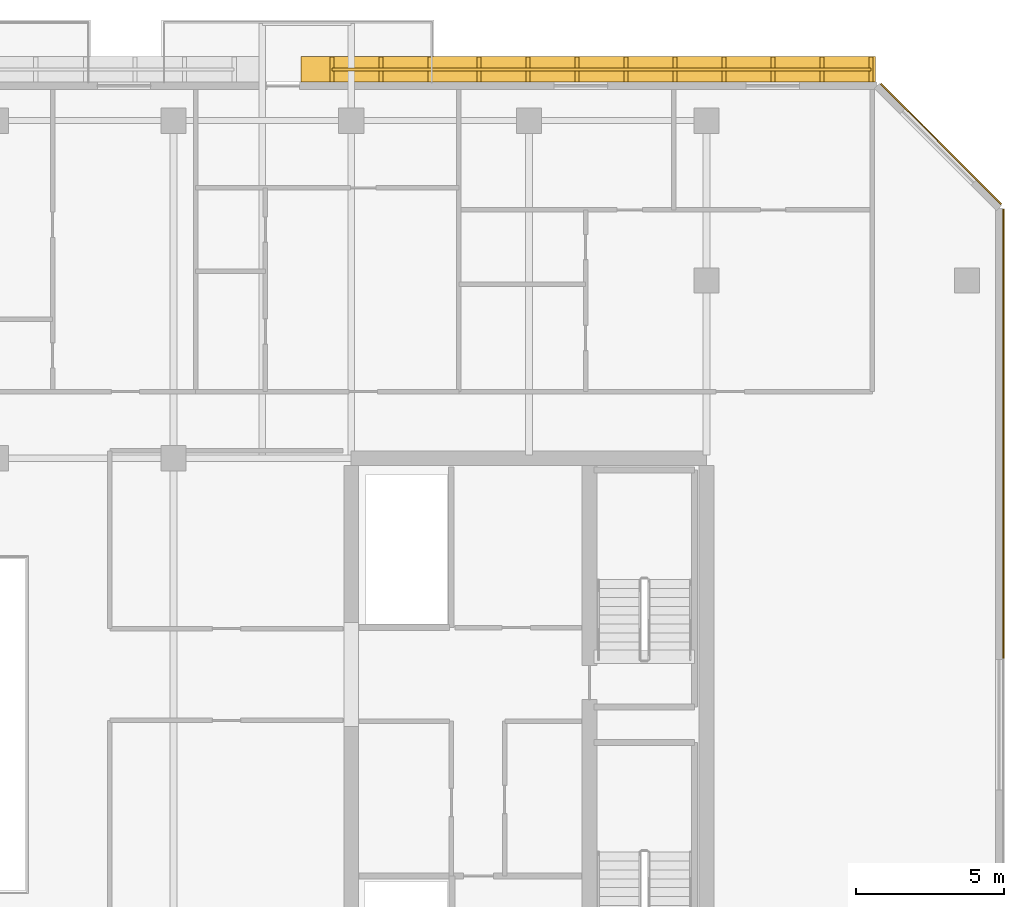
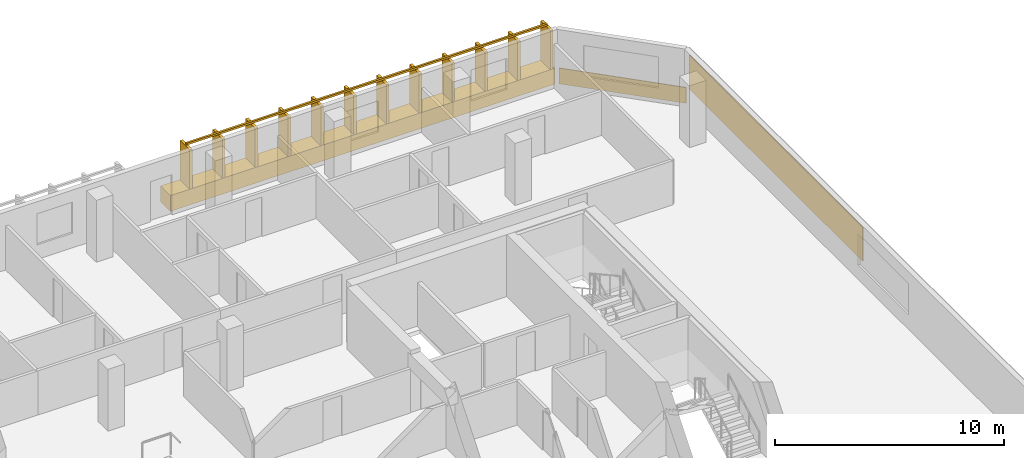
# One storey, part 19 of 19: 3 coverings, 1 railing.
"""IFC4 building model written with IfcOpenShell, lengths in metres."""

from ifc_helpers import new_model, si_unit, direction, frame, origin, origin_2d, place, context, subcontext, project, spatial, rectangle, extrude, material, layer, layer_set, type_object, element, save


model = new_model("IFC4")

# Units and contexts
model_context = context("Model", 3, precision=1e-05, world=origin(), true_north=direction((0.0, 1.0)))
body_context = subcontext(model_context, "Body", "Model", "MODEL_VIEW")
ifc_project = project(units=[si_unit("LENGTHUNIT", "METRE"), si_unit("AREAUNIT", "SQUARE_METRE"), si_unit("VOLUMEUNIT", "CUBIC_METRE"), si_unit("PLANEANGLEUNIT", "RADIAN"), si_unit("MASSUNIT", "GRAM", prefix="KILO")], contexts=[model_context])

# Site, building, storey
site_placement = place(None, origin())
site = spatial("IfcSite", under=ifc_project, at=site_placement, CompositionType="ELEMENT")
building_placement = place(site_placement, origin())
building = spatial("IfcBuilding", under=site, at=building_placement, Name="Tanjung Sevakor Pilgrim Tower", CompositionType="ELEMENT")
storey_placement = place(building_placement, frame((0.0, 0.0, 155.10009765625)))
storey = spatial("IfcBuildingStorey", under=building, at=storey_placement, Name="L43", CompositionType="ELEMENT", Elevation=155.10009765625)

# Coverings
ifc_material_1 = material(Name="Reconstructed Limestone Cladding", Category="masonry")
ifc_layer = layer(ifc_material_1, 0.044921875)
ifc_layer_set = layer_set([ifc_layer], Name="COV-CLAD-LIMESTONE")
covering_type = type_object("IfcCoveringType", Name="COV-CLAD-LIMESTONE", PredefinedType="CLADDING", material=ifc_layer_set)
covering_1_placement = place(storey_placement, frame((100.0224609375, 43.42919921875, 0.849853515625), z_axis=(0.0, 0.0, 1.0), x_axis=(0.0, 1.0, 0.0)))
element("IfcCovering", 1, at=covering_1_placement, inside=storey, type_object=covering_type, Name="L43 Warm Limestone Pier Panel EW-L43-MAIN-7-2", PredefinedType="CLADDING", context=body_context, shape_type="SweptSolid", body=[
    extrude(rectangle(XDim=15.158203125, YDim=0.044921875, at=origin_2d()), origin(), (0.0, 0.0, 1.0), 1.81005859375),
])
covering_2_placement = place(storey_placement, frame((97.916015625, 53.2158203125, 0.009765625), z_axis=(0.0, 0.0, 1.0), x_axis=(-0.707106781187, 0.707106781187, 0.0)))
element("IfcCovering", 2, at=covering_2_placement, inside=storey, type_object=covering_type, Name="L43 Warm Limestone Sill Spandrel EW-CHM-L43-MAIN-7-1", PredefinedType="CLADDING", context=body_context, shape_type="SweptSolid", body=[
    extrude(rectangle(XDim=5.756103515625, YDim=0.044921875, at=origin_2d()), origin(), (0.0, 0.0, 1.0), 0.840087890625),
])
covering_3_placement = place(storey_placement, frame((86.009033203125, 55.72998046875, 0.009765625), z_axis=(0.0, 0.0, 1.0), x_axis=(-1.0, 0.0, 0.0)))
element("IfcCovering", 3, at=covering_3_placement, inside=storey, type_object=covering_type, Name="L43 Warm Limestone Sill Spandrel EW-L43-MAIN-9-1", PredefinedType="CLADDING", context=body_context, shape_type="SweptSolid", body=[
    extrude(rectangle(XDim=19.398193359375, YDim=0.860107421875, at=origin_2d()), origin(), (0.0, 0.0, 1.0), 0.840087890625),
])

# Railing
ifc_material_2 = material(Name="Anodised Bronze Aluminium 6063-T6", Category="aluminium")
railing_type = type_object("IfcRailingType", Name="RL-FIN-SCREEN", PredefinedType="BALUSTRADE", material=ifc_material_2)
railing_placement = place(storey_placement, frame((95.548095703125, 55.72509765625, 0.83984375)))
element("IfcRailing", 4, at=railing_placement, inside=storey, type_object=railing_type, Name="L43 Vertical Bronze-Gold Solar Fin Screen FNSCR-EW-L43-MAIN-9-1", PredefinedType="BALUSTRADE", context=body_context, shape_type="SweptSolid", body=[
    extrude(rectangle(XDim=0.105, YDim=0.105), frame((0.0, 0.0, 2.157470703125), z_axis=(-1.0, 0.0, 0.0), x_axis=(0.0, -1.0, 0.0)), (0.0, 0.0, 1.0), 18.197998046875),
    extrude(rectangle(XDim=0.14, YDim=0.85), origin(), (0.0, 0.0, 1.0), 2.10498046875),
    extrude(rectangle(XDim=0.14, YDim=0.85), frame((-1.654296875, 0.0, 0.0)), (0.0, 0.0, 1.0), 2.10498046875),
    extrude(rectangle(XDim=0.14, YDim=0.85), frame((-3.308837890625, 0.0, 0.0)), (0.0, 0.0, 1.0), 2.10498046875),
    extrude(rectangle(XDim=0.14, YDim=0.85), frame((-4.963134765625, 0.0, 0.0)), (0.0, 0.0, 1.0), 2.10498046875),
    extrude(rectangle(XDim=0.14, YDim=0.85), frame((-6.617431640625, 0.0, 0.0)), (0.0, 0.0, 1.0), 2.10498046875),
    extrude(rectangle(XDim=0.14, YDim=0.85), frame((-8.271728515625, 0.0, 0.0)), (0.0, 0.0, 1.0), 2.10498046875),
    extrude(rectangle(XDim=0.14, YDim=0.85), frame((-9.92626953125, 0.0, 0.0)), (0.0, 0.0, 1.0), 2.10498046875),
    extrude(rectangle(XDim=0.14, YDim=0.85), frame((-11.58056640625, 0.0, 0.0)), (0.0, 0.0, 1.0), 2.10498046875),
    extrude(rectangle(XDim=0.14, YDim=0.85), frame((-13.23486328125, 0.0, 0.0)), (0.0, 0.0, 1.0), 2.10498046875),
    extrude(rectangle(XDim=0.14, YDim=0.85), frame((-14.88916015625, 0.0, 0.0)), (0.0, 0.0, 1.0), 2.10498046875),
    extrude(rectangle(XDim=0.14, YDim=0.85), frame((-16.543701171875, 0.0, 0.0)), (0.0, 0.0, 1.0), 2.10498046875),
    extrude(rectangle(XDim=0.14, YDim=0.85), frame((-18.197998046875, 0.0, 0.0)), (0.0, 0.0, 1.0), 2.10498046875),
])

save(model, "model.ifc")
